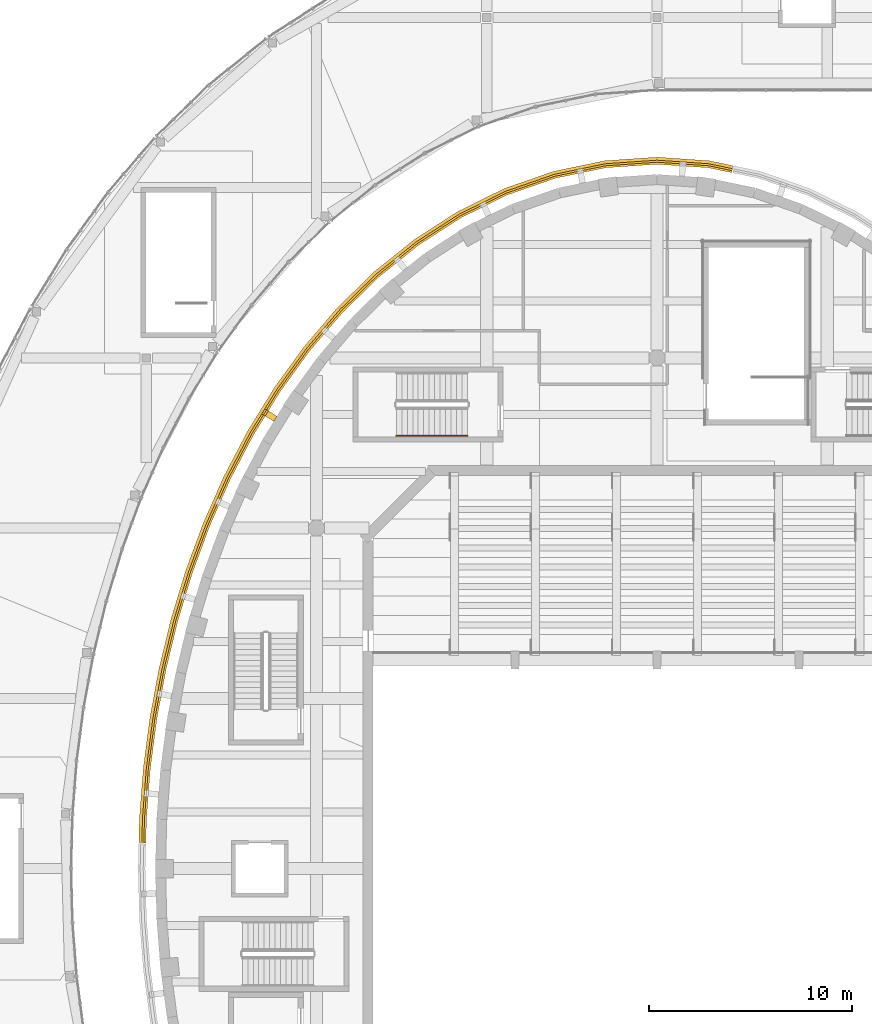
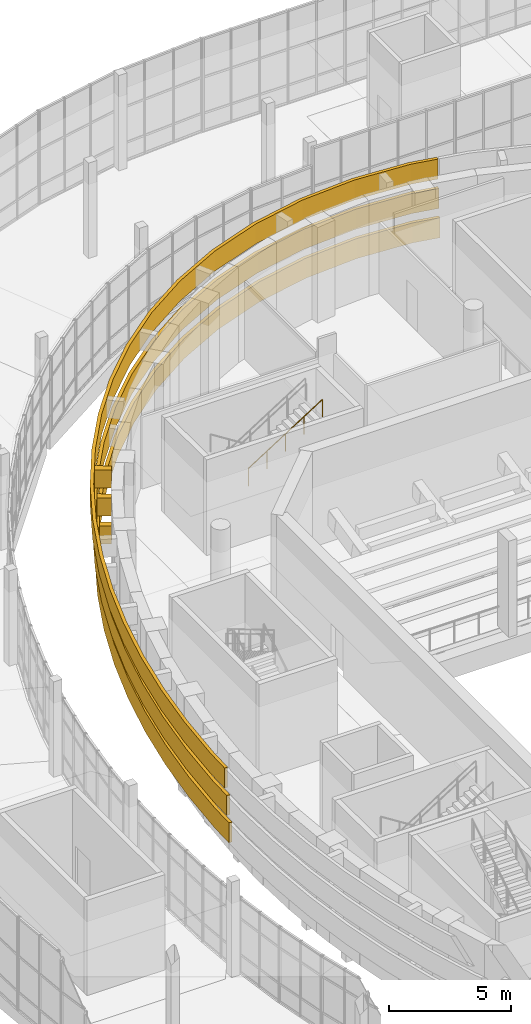
# One storey, part 94 of 103: 6 coverings, 1 railing.
"""IFC4 building model written with IfcOpenShell, lengths in metres."""

from ifc_helpers import new_model, si_unit, direction, frame, origin, origin_2d, place, context, subcontext, project, spatial, polyline, rectangle, circle, outline, extrude, material, layer, layer_set, type_object, element, save


model = new_model("IFC4")

# Units and contexts
model_context = context("Model", 3, precision=1e-05, world=origin(), true_north=direction((0.0, 1.0)))
body_context = subcontext(model_context, "Body", "Model", "MODEL_VIEW")
ifc_project = project(units=[si_unit("LENGTHUNIT", "METRE"), si_unit("AREAUNIT", "SQUARE_METRE"), si_unit("VOLUMEUNIT", "CUBIC_METRE"), si_unit("PLANEANGLEUNIT", "RADIAN"), si_unit("MASSUNIT", "GRAM", prefix="KILO")], contexts=[model_context])

# Site, building, storey
site_placement = place(None, origin())
site = spatial("IfcSite", under=ifc_project, at=site_placement, CompositionType="ELEMENT")
building_placement = place(site_placement, origin())
building = spatial("IfcBuilding", under=site, at=building_placement, Name="Larchfold Concert Hall", CompositionType="ELEMENT")
storey_placement = place(building_placement, frame((0.0, 0.0, 9.60009765625)))
storey = spatial("IfcBuildingStorey", under=building, at=storey_placement, Name="L02", CompositionType="ELEMENT", Elevation=9.60009765625)

# Coverings
ifc_material_1 = material(Name="Powder-coated orange aluminium", Category="aluminium")
ifc_layer_1 = layer(ifc_material_1, 0.14990234375)
ifc_layer_set_1 = layer_set([ifc_layer_1], Name="Powder-coated orange aluminium")
covering_type_1 = type_object("IfcCoveringType", Name="Orange aluminium ring cladding", PredefinedType="CLADDING", material=ifc_layer_set_1)
covering_1_placement = place(storey_placement, frame((0.0, 0.0, 1.2998046875)))
element("IfcCovering", 1, at=covering_1_placement, inside=storey, type_object=covering_type_1, Name="Ring band R03b", PredefinedType="CLADDING", context=body_context, shape_type="SweptSolid", body=[
    extrude(outline(polyline([(42.60009765625, 119.351806640625), (45.129150390625, 119.177734375), (46.297607421875, 118.935302734375), (46.313720703125, 119.085205078125), (45.1494140625, 119.32666015625), (42.60009765625, 119.502197265625), (40.05078125, 119.32666015625), (37.551513671875, 118.808349609375), (35.146240234375, 117.970458984375), (32.86865234375, 116.846923828125), (30.74072265625, 115.475341796875), (28.7744140625, 113.89306640625), (26.97509765625, 112.133544921875), (25.34228515625, 110.227294921875), (23.873291015625, 108.199462890625), (22.563720703125, 106.071044921875), (21.408203125, 103.860107421875), (20.4013671875, 101.581298828125), (19.5390625, 99.247314453125), (18.81689453125, 96.868408203125), (18.230712890625, 94.454345703125), (17.77783203125, 92.013671875), (17.4560546875, 89.552978515625), (17.263671875, 87.079833984375), (17.23291015625, 85.88037109375), (17.3828125, 85.872802734375), (17.41357421875, 87.072021484375), (17.605224609375, 89.537353515625), (17.926025390625, 91.990234375), (18.37744140625, 94.423095703125), (18.961669921875, 96.8291015625), (19.681396484375, 99.199462890625), (20.54052734375, 101.52490234375), (21.54345703125, 103.794921875), (22.694091796875, 105.996826171875), (23.998046875, 108.115966796875), (25.460205078125, 110.13427734375), (27.084716796875, 112.031005859375), (28.8740234375, 113.780517578125), (30.82861328125, 115.353515625), (32.942626953125, 116.71630859375), (35.204345703125, 117.83203125), (37.591552734375, 118.663330078125), (40.071044921875, 119.177734375), (42.60009765625, 119.351806640625)])), origin(), (0.0, 0.0, 1.0), 1.0),
])
covering_2_placement = place(storey_placement, frame((0.0, 0.0, 2.699951171875)))
element("IfcCovering", 2, at=covering_2_placement, inside=storey, type_object=covering_type_1, Name="Ring band R04b", PredefinedType="CLADDING", context=body_context, shape_type="SweptSolid", body=[
    extrude(outline(polyline([(42.60009765625, 119.451904296875), (45.142578125, 119.27685546875), (46.308349609375, 119.03515625), (46.324462890625, 119.18505859375), (45.1630859375, 119.42578125), (42.60009765625, 119.602294921875), (40.037109375, 119.42578125), (37.524658203125, 118.90478515625), (35.107666015625, 118.06298828125), (32.819091796875, 116.93408203125), (30.68212890625, 115.556640625), (28.707763671875, 113.9677734375), (26.902099609375, 112.201904296875), (25.263916015625, 110.2890625), (23.7900390625, 108.255126953125), (22.4765625, 106.120361328125), (21.318115234375, 103.903564453125), (20.30859375, 101.618896484375), (19.4443359375, 99.279052734375), (18.72021484375, 96.894775390625), (18.1328125, 94.475341796875), (17.67919921875, 92.029296875), (17.3564453125, 89.5634765625), (17.163818359375, 87.0849609375), (17.133056640625, 85.88525390625), (17.28271484375, 85.877685546875), (17.313720703125, 87.0771484375), (17.505859375, 89.5478515625), (17.827392578125, 92.005859375), (18.279541015625, 94.44384765625), (18.864990234375, 96.85546875), (19.586669921875, 99.2314453125), (20.44775390625, 101.5625), (21.453369140625, 103.83837890625), (22.607177734375, 106.04638671875), (23.914794921875, 108.171630859375), (25.381591796875, 110.1962890625), (27.01171875, 112.099365234375), (28.8076171875, 113.85546875), (30.77001953125, 115.434814453125), (32.893310546875, 116.803466796875), (35.165771484375, 117.92431640625), (37.564697265625, 118.760009765625), (40.0576171875, 119.27685546875), (42.60009765625, 119.451904296875)])), origin(), (0.0, 0.0, 1.0), 1.0),
])
covering_3_placement = place(storey_placement, frame((0.0, 0.0, 4.099853515625)))
element("IfcCovering", 3, at=covering_3_placement, inside=storey, type_object=covering_type_1, Name="Ring band R05b", PredefinedType="CLADDING", context=body_context, shape_type="SweptSolid", body=[
    extrude(outline(polyline([(42.60009765625, 119.55224609375), (45.15625, 119.376220703125), (46.319091796875, 119.135009765625), (46.33544921875, 119.284912109375), (45.1767578125, 119.525146484375), (42.60009765625, 119.70263671875), (40.0234375, 119.525146484375), (37.498046875, 119.00146484375), (35.06884765625, 118.1552734375), (32.769775390625, 117.021240234375), (30.62353515625, 115.6376953125), (28.641357421875, 114.042724609375), (26.8291015625, 112.2705078125), (25.185302734375, 110.35107421875), (23.70703125, 108.310546875), (22.3896484375, 106.169921875), (21.227783203125, 103.94677734375), (20.216064453125, 101.656494140625), (19.349365234375, 99.31103515625), (18.623779296875, 96.921142578125), (18.034912109375, 94.496337890625), (17.580322265625, 92.044921875), (17.257080078125, 89.57373046875), (17.06396484375, 87.090087890625), (17.032958984375, 85.89013671875), (17.182861328125, 85.8828125), (17.2138671875, 87.082275390625), (17.40625, 89.55810546875), (17.728515625, 92.021484375), (18.181640625, 94.46484375), (18.7685546875, 96.881591796875), (19.49169921875, 99.26318359375), (20.35498046875, 101.60009765625), (21.363037109375, 103.8818359375), (22.52001953125, 106.095703125), (23.831787109375, 108.227294921875), (25.30322265625, 110.25830078125), (26.938720703125, 112.167724609375), (28.740966796875, 113.930419921875), (30.71142578125, 115.515869140625), (32.84375, 116.890625), (35.126953125, 118.016845703125), (37.5380859375, 118.8564453125), (40.0439453125, 119.376220703125), (42.60009765625, 119.55224609375)])), origin(), (0.0, 0.0, 1.0), 1.0),
])
ifc_material_2 = material(Name="Galvanised steel bracket", Category="steel")
ifc_layer_2 = layer(ifc_material_2, 0.300048828125)
ifc_layer_set_2 = layer_set([ifc_layer_2], Name="Galvanised steel bracket")
covering_type_2 = type_object("IfcCoveringType", Name="Ring support bracket", PredefinedType="CLADDING", material=ifc_layer_set_2)
covering_4_placement = place(storey_placement, frame((23.55859375, 106.9248046875, 1.349853515625), z_axis=(0.0, 0.0, 1.0), x_axis=(-0.851675410882, 0.524069646611, 0.0)))
element("IfcCovering", 4, at=covering_4_placement, inside=storey, type_object=covering_type_2, Name="Ring bracket BR-R03-15", PredefinedType="CLADDING", context=body_context, shape_type="SweptSolid", body=[
    extrude(rectangle(XDim=0.5, YDim=0.300048828125, at=origin_2d()), origin(), (0.0, 0.0, 1.0), 0.89990234375),
])
covering_5_placement = place(storey_placement, frame((23.51611328125, 106.950927734375, 2.75), z_axis=(0.0, 0.0, 1.0), x_axis=(-0.851675410882, 0.524069646611, 0.0)))
element("IfcCovering", 5, at=covering_5_placement, inside=storey, type_object=covering_type_2, Name="Ring bracket BR-R04-15", PredefinedType="CLADDING", context=body_context, shape_type="SweptSolid", body=[
    extrude(rectangle(XDim=0.60009765625, YDim=0.300048828125, at=origin_2d()), origin(), (0.0, 0.0, 1.0), 0.89990234375),
])
covering_6_placement = place(storey_placement, frame((23.4736328125, 106.977294921875, 4.14990234375), z_axis=(0.0, 0.0, 1.0), x_axis=(-0.851675410882, 0.524069646611, 0.0)))
element("IfcCovering", 6, at=covering_6_placement, inside=storey, type_object=covering_type_2, Name="Ring bracket BR-R05-15", PredefinedType="CLADDING", context=body_context, shape_type="SweptSolid", body=[
    extrude(rectangle(XDim=0.699951171875, YDim=0.300048828125, at=origin_2d()), origin(), (0.0, 0.0, 1.0), 0.89990234375),
])

# Railing
ifc_material_3 = material(Name="Stainless steel handrail", Category="steel")
railing_type = type_object("IfcRailingType", Name="Stair handrail 900", PredefinedType="HANDRAIL", material=ifc_material_3)
railing_placement = place(storey_placement, frame((29.739990234375, 105.9501953125, 2.5712890625)))
element("IfcRailing", 7, at=railing_placement, inside=storey, type_object=railing_type, Name="Handrail HR0010", PredefinedType="HANDRAIL", context=body_context, shape_type="SweptSolid", body=[
    extrude(circle(Radius=0.02392578125, at=origin_2d()), frame((0.0, 0.0, 0.8759765625), z_axis=(0.844219563411, 0.0, 0.53599750816), x_axis=(0.0, 1.0, 0.0)), (0.0, 0.0, 1.0), 4.15771484375),
    extrude(circle(Radius=0.02099609375, at=origin_2d()), origin(), (0.0, 0.0, 1.0), 0.851806640625),
    extrude(circle(Radius=0.02099609375, at=origin_2d()), frame((0.87744140625, 0.0, 0.55712890625)), (0.0, 0.0, 1.0), 0.851806640625),
    extrude(circle(Radius=0.02099609375, at=origin_2d()), frame((1.7548828125, 0.0, 1.1142578125)), (0.0, 0.0, 1.0), 0.851806640625),
    extrude(circle(Radius=0.02099609375, at=origin_2d()), frame((2.632568359375, 0.0, 1.67138671875)), (0.0, 0.0, 1.0), 0.851806640625),
    extrude(circle(Radius=0.02099609375, at=origin_2d()), frame((3.510009765625, 0.0, 2.228515625)), (0.0, 0.0, 1.0), 0.851806640625),
])

save(model, "model.ifc")
